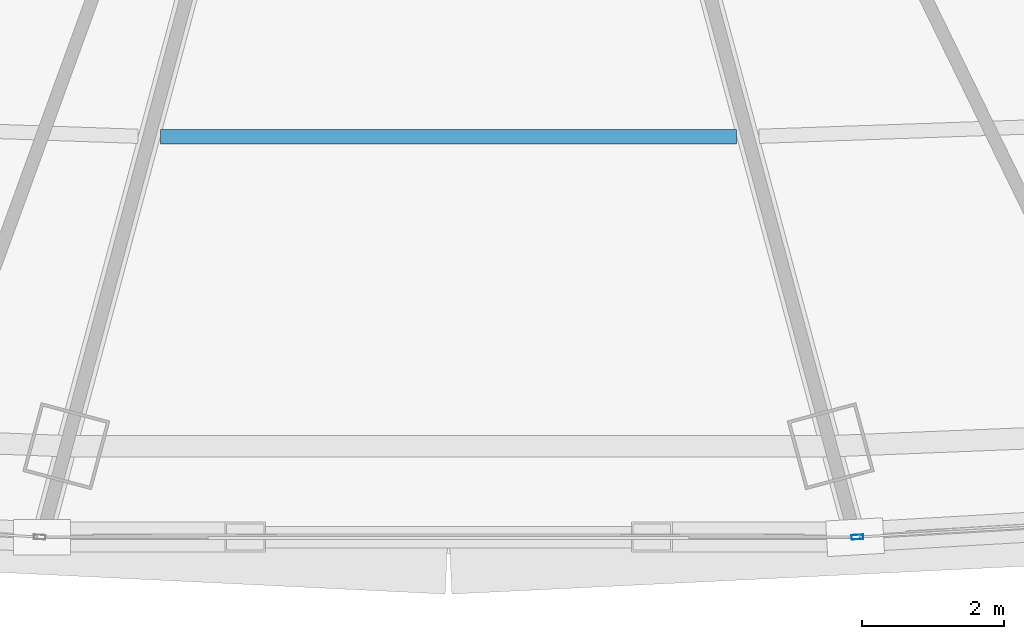
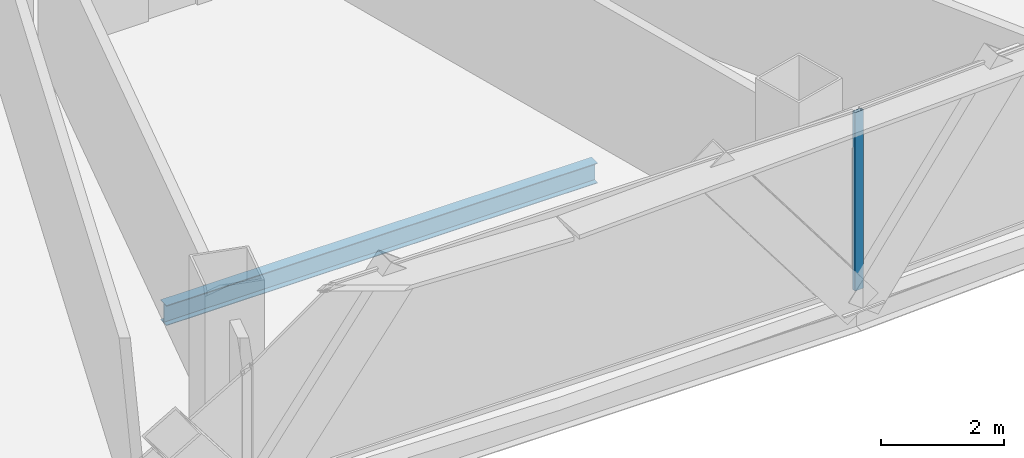
# One storey, part 12 of 41: 1 beam, 1 member, 1 element without a shape of its own.
"""IFC4 building model written with IfcOpenShell, lengths in metres."""

import ifcopenshell
import ifcopenshell.guid

model = None  # the IFC model being written
_history = None  # IfcOwnerHistory: only IFC2X3 demands one
_inside = {}  # id of a spatial element -> (the spatial element, [elements in it])
_under = {}  # id of a project, library or spatial element -> (it, [spatial elements below it])
_declared = {}  # id of a project -> (the project, [libraries it declares])
_typed = {}  # id of a type object -> (the type object, [elements of that type])
_made_of = {}  # id of a material, layer set ... -> (it, [elements and type objects made of it])


def new_model(schema):
    """Start an empty IFC model of exactly this schema.

    Asked for "IFC4X3", IfcOpenShell would pick the latest addendum, in which some entities
    have other attributes; the version numbers below select the first issue.
    IFC2X3 requires an IfcOwnerHistory on every rooted entity: one is made here for all.
    """
    global model, _history
    if schema == "IFC4X3":
        model = ifcopenshell.file(schema_version=(4, 3, 0, 0))
    else:
        model = ifcopenshell.file(schema=schema)
    _inside.clear()
    _under.clear()
    _declared.clear()
    _typed.clear()
    _made_of.clear()
    _history = None
    if model.schema == "IFC2X3":
        org = make("IfcOrganization", Name="unknown")
        user = make(
            "IfcPersonAndOrganization",
            ThePerson=make("IfcPerson", FamilyName="unknown"),
            TheOrganization=org,
        )
        app = make(
            "IfcApplication",
            ApplicationDeveloper=org,
            Version="unknown",
            ApplicationFullName="unknown",
            ApplicationIdentifier="unknown",
        )
        _history = make(
            "IfcOwnerHistory",
            OwningUser=user,
            OwningApplication=app,
            ChangeAction="ADDED",
            CreationDate=0,
        )
    return model


def make(cls, **values):
    """One entity of the class cls with the attributes given. An attribute that is None is left unset."""
    return model.create_entity(
        cls, **{name: value for name, value in values.items() if value is not None}
    )


def rooted(cls, **values):
    """An entity with a GlobalId (a new one), such as an element, a storey or a relation."""
    return make(cls, GlobalId=ifcopenshell.guid.new(), OwnerHistory=_history, **values)


def si_unit(unit_type, name, prefix=None):
    """IfcSIUnit, for example si_unit("LENGTHUNIT", "METRE", prefix="MILLI")."""
    return make("IfcSIUnit", UnitType=unit_type, Prefix=prefix, Name=name)


def assignment(units):
    """IfcUnitAssignment: the units of a project."""
    return None if units is None else make("IfcUnitAssignment", Units=units)


def point(xyz):
    """IfcCartesianPoint."""
    return None if xyz is None else make("IfcCartesianPoint", Coordinates=xyz)


def direction(xyz):
    """IfcDirection."""
    return None if xyz is None else make("IfcDirection", DirectionRatios=xyz)


def frame(location, z_axis=None, x_axis=None):
    """IfcAxis2Placement3D, a coordinate frame: its origin and axes. An axis left out is left unset."""
    return make(
        "IfcAxis2Placement3D",
        Location=point(location),
        Axis=direction(z_axis),
        RefDirection=direction(x_axis),
    )


def frame_2d(location, x_axis=None):
    """IfcAxis2Placement2D, a coordinate frame in the plane: its origin and x axis."""
    return make(
        "IfcAxis2Placement2D", Location=point(location), RefDirection=direction(x_axis)
    )


def origin():
    """The frame at (0, 0, 0) with its axes left unset."""
    return frame((0.0, 0.0, 0.0))


def origin_2d():
    """The frame at (0, 0) in the plane with its x axis left unset."""
    return frame_2d((0.0, 0.0))


def place(relative_to, where):
    """IfcLocalPlacement: puts the frame where relative to a parent placement (None: the world)."""
    return make(
        "IfcLocalPlacement", PlacementRelTo=relative_to, RelativePlacement=where
    )


def context(
    kind, dimensions, precision=None, world=None, true_north=None, identifier=None
):
    """IfcGeometricRepresentationContext, for example the 3D "Model" context."""
    return make(
        "IfcGeometricRepresentationContext",
        ContextIdentifier=identifier,
        ContextType=kind,
        CoordinateSpaceDimension=dimensions,
        Precision=precision,
        WorldCoordinateSystem=world,
        TrueNorth=true_north,
    )


def subcontext(parent, identifier, kind, view, scale=None):
    """IfcGeometricRepresentationSubContext, for example "Body" below "Model"."""
    return make(
        "IfcGeometricRepresentationSubContext",
        ContextIdentifier=identifier,
        ContextType=kind,
        ParentContext=parent,
        TargetScale=scale,
        TargetView=view,
    )


def project(units=None, contexts=None):
    """IfcProject with its units and contexts."""
    return rooted(
        "IfcProject",
        Name="project",
        RepresentationContexts=contexts,
        UnitsInContext=assignment(units),
    )


def spatial(cls, under=None, at=None, **own):
    """A site, building, storey or space (cls), placed at a placement, below another one or the project."""
    s = rooted(cls, ObjectPlacement=at, **own)
    if under is not None:
        _under.setdefault(under.id(), (under, []))[1].append(s)
    return s


def profile(cls, at=None, kind="AREA", **sizes):
    """A parametric profile (cls). Its sizes go by their IFC names, for example OverallWidth=200.0."""
    return make(cls, ProfileType=kind, Position=at, **sizes)


def hollow_rectangle(**sizes):
    """IfcRectangleHollowProfileDef."""
    return profile("IfcRectangleHollowProfileDef", **sizes)


def i_section(**sizes):
    """IfcIShapeProfileDef."""
    return profile("IfcIShapeProfileDef", **sizes)


def extrude(swept, where, along, depth):
    """IfcExtrudedAreaSolid: the profile swept, set in the frame where, extruded along a direction by depth."""
    return make(
        "IfcExtrudedAreaSolid",
        SweptArea=swept,
        Position=where,
        ExtrudedDirection=direction(along),
        Depth=depth,
    )


def shape(context_of_items, identifier, shape_type, items):
    """IfcShapeRepresentation: the items that make up one representation, for example the "Body"."""
    return make(
        "IfcShapeRepresentation",
        ContextOfItems=context_of_items,
        RepresentationIdentifier=identifier,
        RepresentationType=shape_type,
        Items=items,
    )


def source(mapping_origin, context_of_items, identifier, shape_type, items):
    """IfcRepresentationMap: a shape defined once, which mapped items show again and again."""
    return make(
        "IfcRepresentationMap",
        MappingOrigin=mapping_origin,
        MappedRepresentation=shape(context_of_items, identifier, shape_type, items),
    )


def transform(
    local_origin,
    x_axis=None,
    y_axis=None,
    z_axis=None,
    scale=None,
    scale2=None,
    scale3=None,
    uniform=True,
):
    """IfcCartesianTransformationOperator3D, or its non-uniform kind. x_axis, y_axis, z_axis: its Axis1, 2, 3."""
    if uniform:
        return make(
            "IfcCartesianTransformationOperator3D",
            Axis1=direction(x_axis),
            Axis2=direction(y_axis),
            LocalOrigin=point(local_origin),
            Scale=scale,
            Axis3=direction(z_axis),
        )
    return make(
        "IfcCartesianTransformationOperator3DnonUniform",
        Axis1=direction(x_axis),
        Axis2=direction(y_axis),
        LocalOrigin=point(local_origin),
        Scale=scale,
        Axis3=direction(z_axis),
        Scale2=scale2,
        Scale3=scale3,
    )


def mapped(mapping_source, mapping_target):
    """IfcMappedItem: shows the shape of a source again, moved by a transform."""
    return make(
        "IfcMappedItem", MappingSource=mapping_source, MappingTarget=mapping_target
    )


def material(Name=None, Category=None):
    """IfcMaterial."""
    return make("IfcMaterial", Name=Name, Category=Category)


def layer(
    of_material, thickness, ventilated=None, Name=None, Category=None, Priority=None
):
    """IfcMaterialLayer: one layer of a wall or slab, of a material (None: an air gap)."""
    return make(
        "IfcMaterialLayer",
        Material=of_material,
        LayerThickness=thickness,
        IsVentilated=ventilated,
        Name=Name,
        Category=Category,
        Priority=Priority,
    )


def layer_set(layers, Name=None):
    """IfcMaterialLayerSet."""
    return make("IfcMaterialLayerSet", MaterialLayers=layers, LayerSetName=Name)


def material_profile(
    of_material, cross_section, Name=None, Category=None, Priority=None
):
    """IfcMaterialProfile: a cross section and its material."""
    return make(
        "IfcMaterialProfile",
        Name=Name,
        Material=of_material,
        Profile=cross_section,
        Priority=Priority,
        Category=Category,
    )


def profile_set(profiles, Name=None, composite=None):
    """IfcMaterialProfileSet."""
    return make(
        "IfcMaterialProfileSet",
        Name=Name,
        MaterialProfiles=profiles,
        CompositeProfile=composite,
    )


def made_of(thing, what):
    """Note that an element or type object is made of a material, layer set ...; save() writes the relation."""
    if what is not None:
        _made_of.setdefault(what.id(), (what, []))[1].append(thing)
    return thing


def type_object(cls, material=None, **own):
    """A type object (cls), such as IfcWallType, which elements share."""
    return made_of(rooted(cls, **own), material)


def element(
    cls,
    number,
    at=None,
    inside=None,
    cuts=None,
    type_object=None,
    material=None,
    context=None,
    identifier="Body",
    shape_type=None,
    held_by="IfcProductDefinitionShape",
    body=None,
    shapes=None,
    **own,
):
    """One element of the class cls, such as IfcWall. Its Tag is "e" and its number.

    at: its placement. inside: the storey or other place that contains it. cuts: it is an
    opening in that element (IfcRelVoidsElement). A single representation is given by context,
    identifier, shape_type and body (its items); several are given by shapes. held_by: the class
    of the entity that holds the representations. save() writes the other relations.
    """
    e = rooted(cls, Tag="e%d" % number, ObjectPlacement=at, **own)
    if body is not None:
        shapes = [shape(context, identifier, shape_type, body)]
    if shapes is not None:
        e.Representation = make(held_by, Representations=shapes)
    if inside is not None:
        _inside.setdefault(inside.id(), (inside, []))[1].append(e)
    if cuts is not None:
        rooted(
            "IfcRelVoidsElement", RelatingBuildingElement=cuts, RelatedOpeningElement=e
        )
    if type_object is not None:
        _typed.setdefault(type_object.id(), (type_object, []))[1].append(e)
    return made_of(e, material)


def aggregate(whole, parts):
    """IfcRelAggregates: a whole, such as a stair, and the parts it consists of."""
    return rooted("IfcRelAggregates", RelatingObject=whole, RelatedObjects=parts)


def save(model, path):
    """Write the relations noted so far, then the file.

    IfcRelAggregates (storeys below a building ...), IfcRelContainedInSpatialStructure (elements
    in a storey), IfcRelDefinesByType, IfcRelAssociatesMaterial and IfcRelDeclares: one each for
    every whole, place, type object, material and project.
    """
    for whole, parts in _under.values():
        aggregate(whole, parts)
    for where, things in _inside.values():
        rooted(
            "IfcRelContainedInSpatialStructure",
            RelatedElements=things,
            RelatingStructure=where,
        )
    for kind, things in _typed.values():
        rooted("IfcRelDefinesByType", RelatedObjects=things, RelatingType=kind)
    for what, things in _made_of.values():
        rooted("IfcRelAssociatesMaterial", RelatedObjects=things, RelatingMaterial=what)
    for by, libraries in _declared.values():
        rooted("IfcRelDeclares", RelatingContext=by, RelatedDefinitions=libraries)
    model.write(path)


model = new_model("IFC4")

# Units and contexts
model_context = context("Model", 3, precision=1e-05, world=origin(), true_north=direction((0.0, 1.0)))
body_context = subcontext(model_context, "Body", "Model", "MODEL_VIEW")
ifc_project = project(units=[si_unit("LENGTHUNIT", "METRE"), si_unit("AREAUNIT", "SQUARE_METRE"), si_unit("VOLUMEUNIT", "CUBIC_METRE"), si_unit("PLANEANGLEUNIT", "RADIAN"), si_unit("MASSUNIT", "GRAM", prefix="KILO"), si_unit("THERMODYNAMICTEMPERATUREUNIT", "KELVIN"), si_unit("POWERUNIT", "WATT")], contexts=[model_context])

# Site, building, storey
site_placement = place(None, origin())
site = spatial("IfcSite", under=ifc_project, at=site_placement, CompositionType="ELEMENT")
building_placement = place(site_placement, origin())
building = spatial("IfcBuilding", under=site, at=building_placement, Name="Yunzhuo Pagoda Commons", CompositionType="ELEMENT")
storey_placement = place(building_placement, frame((0.0, 0.0, 111.580078125)))
storey = spatial("IfcBuildingStorey", under=building, at=storey_placement, Name="L28", CompositionType="ELEMENT", Elevation=111.580078125)

# Beam
ifc_material_1 = material(Name="Structural steel Q355B", Category="steel")
ifc_material_profile_1 = material_profile(ifc_material_1, i_section(OverallWidth=0.199951171875, OverallDepth=0.39990234375, WebThickness=0.008056640625, FlangeThickness=0.012939453125, at=origin_2d()), Name="Structural steel Q355B")
ifc_profile_set_1 = profile_set([ifc_material_profile_1], Name="Structural steel Q355B")
beam_type = type_object("IfcBeamType", Name="B-JS1 Joist HN 400x200x8x13", PredefinedType="JOIST", material=ifc_profile_set_1)
shared_shape_1 = source(origin(), body_context, "Body", "SweptSolid", [
    extrude(i_section(OverallWidth=0.199951171875, OverallDepth=0.39990234375, WebThickness=0.008056640625, FlangeThickness=0.012939453125, at=origin_2d()), origin(), (0.0, 0.0, 1.0), 8.087890625),
])
beam_placement = place(storey_placement, frame((43.9560546875, 18.014404296875, -0.4599609375), z_axis=(1.0, 0.0, 0.0), x_axis=(0.0, 1.0, 0.0)))
element("IfcBeam", 1, at=beam_placement, inside=storey, type_object=beam_type, Name="L28 composite ring joist 2.2", PredefinedType="JOIST", context=body_context, shape_type="MappedRepresentation", body=[
    mapped(shared_shape_1, transform((0.0, 0.0, 0.0), scale=1.0)),
])

# Curtain wall, member
ifc_material_2 = material(Name="Anodized aluminium 6063-T6", Category="aluminium")
ifc_layer = layer(ifc_material_2, 0.1650390625)
ifc_layer_set = layer_set([ifc_layer], Name="Anodized aluminium 6063-T6")
curtain_wall_type = type_object("IfcCurtainWallType", Name="CW-LOW Low-Zone Ribbon Curtain Wall", PredefinedType="NOTDEFINED", material=ifc_layer_set)
curtain_wall_placement = place(storey_placement, origin())
curtain_wall = element("IfcCurtainWall", 2, at=curtain_wall_placement, inside=storey, type_object=curtain_wall_type, Name="L28 curtain wall CW-L28-F1B4", PredefinedType="NOTDEFINED")
ifc_material_profile_2 = material_profile(ifc_material_2, hollow_rectangle(XDim=0.06494140625, YDim=0.1650390625, WallThickness=0.00390625, at=origin_2d()), Name="Anodized aluminium 6063-T6")
ifc_profile_set_2 = profile_set([ifc_material_profile_2], Name="Anodized aluminium 6063-T6")
member_type = type_object("IfcMemberType", Name="CW-LOW-M Mullion RHS 165x65x4", PredefinedType="MULLION", material=ifc_profile_set_2)
shared_shape_2 = source(origin(), body_context, "Body", "SweptSolid", [
    extrude(hollow_rectangle(XDim=0.06494140625, YDim=0.1650390625, WallThickness=0.00390625, at=origin_2d()), origin(), (0.0, 0.0, 1.0), 3.5400390625),
])
member_placement = place(storey_placement, frame((53.742431640625, 12.392822265625, 0.0), z_axis=(0.0, 0.0, 1.0), x_axis=(-0.057027757736, 0.998372593197, 0.0)))
member = element("IfcMember", 3, at=member_placement, type_object=member_type, Name="CW mullion 1", PredefinedType="MULLION", context=body_context, shape_type="MappedRepresentation", body=[
    mapped(shared_shape_2, transform((0.0, 0.0, 0.0), scale=1.0)),
])
aggregate(curtain_wall, [member])

save(model, "model.ifc")
